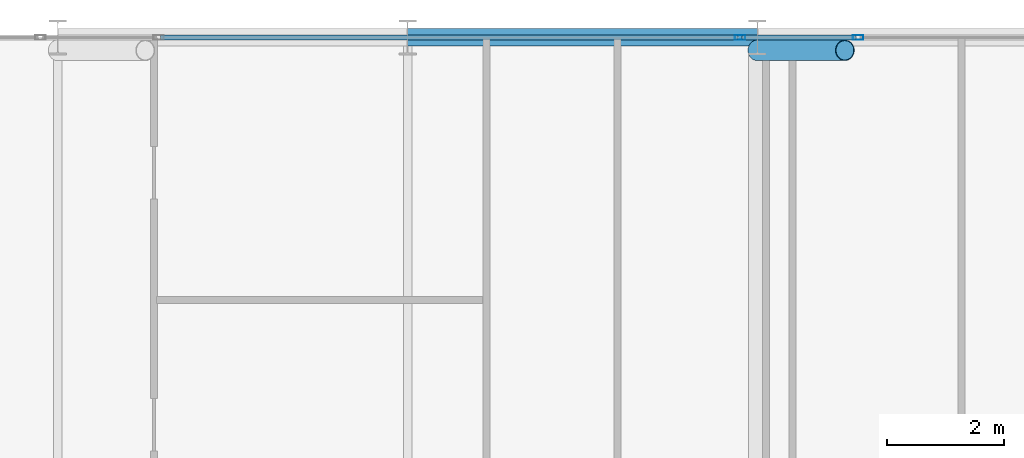
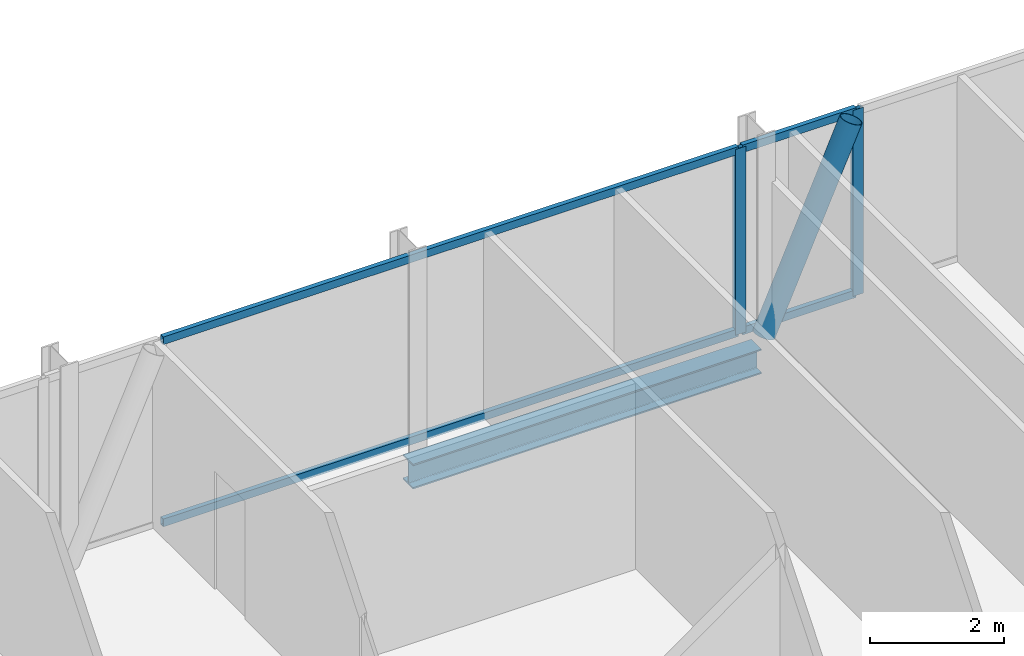
# One storey, part 17 of 29: 7 members, 1 beam, 2 elements without a shape of their own.
"""IFC4 building model written with IfcOpenShell, lengths in metres."""

from ifc_helpers import new_model, si_unit, direction, frame, origin, origin_2d, place, context, subcontext, project, spatial, hollow_rectangle, hollow_circle, i_section, extrude, material, layer, layer_set, material_profile, profile_set, type_object, element, aggregate, save


model = new_model("IFC4")

# Units and contexts
model_context = context("Model", 3, precision=1e-05, world=origin(), true_north=direction((0.0, 1.0)))
body_context = subcontext(model_context, "Body", "Model", "MODEL_VIEW")
ifc_project = project(units=[si_unit("LENGTHUNIT", "METRE"), si_unit("AREAUNIT", "SQUARE_METRE"), si_unit("VOLUMEUNIT", "CUBIC_METRE"), si_unit("PLANEANGLEUNIT", "RADIAN"), si_unit("MASSUNIT", "GRAM", prefix="KILO")], contexts=[model_context])

# Site, building, storey
site_placement = place(None, origin())
site = spatial("IfcSite", under=ifc_project, at=site_placement, CompositionType="ELEMENT")
building_placement = place(site_placement, origin())
building = spatial("IfcBuilding", under=site, at=building_placement, Name="Keshet Zoharim Tower", CompositionType="ELEMENT")
storey_placement = place(building_placement, frame((0.0, 0.0, 98.300048828125)))
storey = spatial("IfcBuildingStorey", under=building, at=storey_placement, Name="L23", CompositionType="ELEMENT", Elevation=98.300048828125)

# Beam
ifc_material_1 = material(Name="Steel S355", Category="steel")
ifc_material_profile_1 = material_profile(ifc_material_1, i_section(OverallWidth=0.300048828125, OverallDepth=0.449951171875, WebThickness=0.013916015625, FlangeThickness=0.02587890625, FilletRadius=0.027099609375, at=origin_2d()), Name="HEB450")
ifc_profile_set_1 = profile_set([ifc_material_profile_1], Name="Steel S355")
beam_type = type_object("IfcBeamType", Name="BM-WEB-HB450", PredefinedType="BEAM", material=ifc_profile_set_1)
beam_placement = place(storey_placement, frame((27.0, 53.89990234375, -0.5400390625), z_axis=(1.0, 0.0, 0.0), x_axis=(0.0, 1.0, 0.0)))
element("IfcBeam", 1, at=beam_placement, inside=storey, type_object=beam_type, Name="L23 Primary Girder X-020", PredefinedType="BEAM", context=body_context, shape_type="SweptSolid", body=[
    extrude(i_section(OverallWidth=0.300048828125, OverallDepth=0.449951171875, WebThickness=0.013916015625, FlangeThickness=0.02587890625, FilletRadius=0.027099609375, at=origin_2d()), origin(), (0.0, 0.0, 1.0), 6.0),
])

# Curtain wall, member
ifc_material_2 = material(Name="Aluminium 6063-T6", Category="aluminium")
ifc_layer = layer(ifc_material_2, 0.159912109375)
ifc_layer_set = layer_set([ifc_layer], Name="Aluminium 6063-T6")
curtain_wall_type = type_object("IfcCurtainWallType", Name="CW-SYS-03", PredefinedType="NOTDEFINED", material=ifc_layer_set)
curtain_wall_1_placement = place(storey_placement, origin())
curtain_wall_1 = element("IfcCurtainWall", 2, at=curtain_wall_1_placement, inside=storey, type_object=curtain_wall_type, Name="L23 Unitised Curtain Wall 13 Part 3", PredefinedType="NOTDEFINED")
ifc_material_profile_2 = material_profile(ifc_material_2, hollow_rectangle(XDim=0.080078125, YDim=0.179931640625, WallThickness=0.00439453125, at=origin_2d()), Name="MUL-80x180")
ifc_profile_set_2 = profile_set([ifc_material_profile_2], Name="Aluminium 6063-T6")
member_type_1 = type_object("IfcMemberType", Name="CWM-M18", PredefinedType="MULLION", material=ifc_profile_set_2)
member_1_placement = place(storey_placement, frame((32.702392578125, 53.89990234375, 0.0), z_axis=(0.0, 0.0, 1.0), x_axis=(0.0, 1.0, 0.0)))
member_1 = element("IfcMember", 3, at=member_1_placement, type_object=member_type_1, Name="CW-03 mullion 2", PredefinedType="MULLION", context=body_context, shape_type="SweptSolid", body=[
    extrude(hollow_rectangle(XDim=0.080078125, YDim=0.179931640625, WallThickness=0.00439453125, at=origin_2d()), origin(), (0.0, 0.0, 1.0), 3.385009765625),
])

curtain_wall_2_placement = place(storey_placement, origin())
curtain_wall_2 = element("IfcCurtainWall", 4, at=curtain_wall_2_placement, inside=storey, type_object=curtain_wall_type, Name="L23 Unitised Curtain Wall 13 Part 4", PredefinedType="NOTDEFINED")
member_2_placement = place(storey_placement, frame((34.7275390625, 53.89990234375, 0.0), z_axis=(0.0, 0.0, 1.0), x_axis=(0.0, 1.0, 0.0)))
member_2 = element("IfcMember", 5, at=member_2_placement, type_object=member_type_1, Name="CW-03 mullion 2", PredefinedType="MULLION", context=body_context, shape_type="SweptSolid", body=[
    extrude(hollow_rectangle(XDim=0.080078125, YDim=0.179931640625, WallThickness=0.00439453125, at=origin_2d()), origin(), (0.0, 0.0, 1.0), 3.385009765625),
])

# Member
ifc_material_profile_3 = material_profile(ifc_material_2, hollow_rectangle(XDim=0.080078125, YDim=0.139892578125, WallThickness=0.00390625, at=origin_2d()), Name="TRN-80x140")
ifc_profile_set_3 = profile_set([ifc_material_profile_3], Name="Aluminium 6063-T6")
member_type_2 = type_object("IfcMemberType", Name="CWT-T14", PredefinedType="USERDEFINED", material=ifc_profile_set_3)
member_3_placement = place(storey_placement, frame((22.7626953125, 53.89990234375, 0.034912109375), z_axis=(1.0, 0.0, 0.0), x_axis=(0.0, 1.0, 0.0)))
member_3 = element("IfcMember", 6, at=member_3_placement, type_object=member_type_2, Name="CW-03 transom 1.1", ObjectType="TRANSOM", PredefinedType="USERDEFINED", context=body_context, shape_type="SweptSolid", body=[
    extrude(hollow_rectangle(XDim=0.080078125, YDim=0.139892578125, WallThickness=0.00390625, at=origin_2d()), origin(), (0.0, 0.0, 1.0), 9.90478515625),
])

member_4_placement = place(storey_placement, frame((22.7626953125, 53.89990234375, 3.349853515625), z_axis=(1.0, 0.0, 0.0), x_axis=(0.0, 1.0, 0.0)))
member_4 = element("IfcMember", 7, at=member_4_placement, type_object=member_type_2, Name="CW-03 transom 1.2", ObjectType="TRANSOM", PredefinedType="USERDEFINED", context=body_context, shape_type="SweptSolid", body=[
    extrude(hollow_rectangle(XDim=0.080078125, YDim=0.139892578125, WallThickness=0.00390625, at=origin_2d()), origin(), (0.0, 0.0, 1.0), 9.90478515625),
])

aggregate(curtain_wall_1, [member_1, member_3, member_4])

member_5_placement = place(storey_placement, frame((32.7373046875, 53.89990234375, 0.034912109375), z_axis=(1.0, 0.0, 0.0), x_axis=(0.0, 1.0, 0.0)))
member_5 = element("IfcMember", 8, at=member_5_placement, type_object=member_type_2, Name="CW-03 transom 1.1", ObjectType="TRANSOM", PredefinedType="USERDEFINED", context=body_context, shape_type="SweptSolid", body=[
    extrude(hollow_rectangle(XDim=0.080078125, YDim=0.139892578125, WallThickness=0.00390625, at=origin_2d()), origin(), (0.0, 0.0, 1.0), 1.955322265625),
])

member_6_placement = place(storey_placement, frame((32.7373046875, 53.89990234375, 3.349853515625), z_axis=(1.0, 0.0, 0.0), x_axis=(0.0, 1.0, 0.0)))
member_6 = element("IfcMember", 9, at=member_6_placement, type_object=member_type_2, Name="CW-03 transom 1.2", ObjectType="TRANSOM", PredefinedType="USERDEFINED", context=body_context, shape_type="SweptSolid", body=[
    extrude(hollow_rectangle(XDim=0.080078125, YDim=0.139892578125, WallThickness=0.00390625, at=origin_2d()), origin(), (0.0, 0.0, 1.0), 1.955322265625),
])

aggregate(curtain_wall_2, [member_2, member_5, member_6])

ifc_material_profile_4 = material_profile(ifc_material_1, hollow_circle(Radius=0.177734375, WallThickness=0.012451171875, at=origin_2d()), Name="CHS355x12.5")
ifc_profile_set_4 = profile_set([ifc_material_profile_4], Name="Steel S355")
member_type_3 = type_object("IfcMemberType", Name="MB-BR-C355", PredefinedType="BRACE", material=ifc_profile_set_4)
member_7_placement = place(storey_placement, frame((33.0, 53.679931640625, 0.0), z_axis=(0.405134846829, 0.0, 0.91425694194), x_axis=(0.0, 1.0, 0.0)))
element("IfcMember", 10, at=member_7_placement, inside=storey, type_object=member_type_3, Name="L23 Perimeter Tube Brace 03", PredefinedType="BRACE", context=body_context, shape_type="SweptSolid", body=[
    extrude(hollow_circle(Radius=0.177734375, WallThickness=0.012451171875, at=origin_2d()), origin(), (0.0, 0.0, 1.0), 3.702392578125),
])

save(model, "model.ifc")
